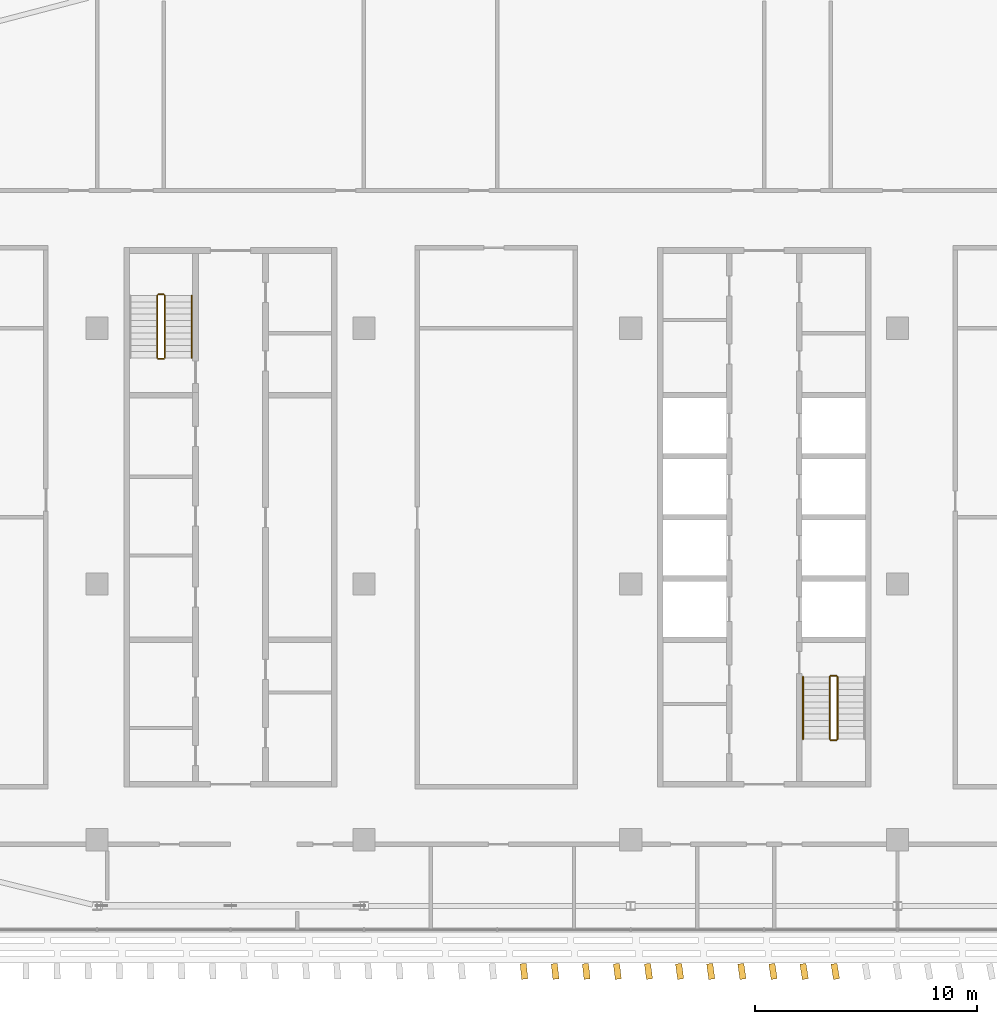
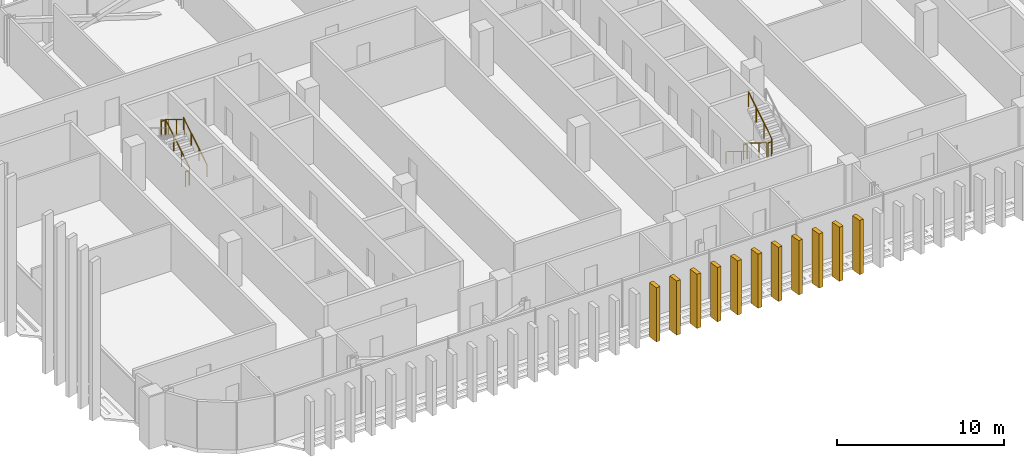
# One storey, part 27 of 32: 11 coverings, 10 railings.
"""IFC4 building model written with IfcOpenShell, lengths in metres."""

from ifc_helpers import new_model, si_unit, direction, frame, origin, origin_2d, place, context, subcontext, project, spatial, rectangle, circle, extrude, material, layer, layer_set, type_object, element, save


model = new_model("IFC4")

# Units and contexts
model_context = context("Model", 3, precision=1e-05, world=origin(), true_north=direction((0.0, 1.0)))
body_context = subcontext(model_context, "Body", "Model", "MODEL_VIEW")
ifc_project = project(units=[si_unit("LENGTHUNIT", "METRE"), si_unit("AREAUNIT", "SQUARE_METRE"), si_unit("VOLUMEUNIT", "CUBIC_METRE"), si_unit("PLANEANGLEUNIT", "RADIAN"), si_unit("MASSUNIT", "GRAM", prefix="KILO")], contexts=[model_context])

# Site, building, storey
site_placement = place(None, origin())
site = spatial("IfcSite", under=ifc_project, at=site_placement, CompositionType="ELEMENT")
building_placement = place(site_placement, origin())
building = spatial("IfcBuilding", under=site, at=building_placement, Name="Mahtab Terrace Research Tower", CompositionType="ELEMENT")
storey_placement = place(building_placement, frame((0.0, 0.0, 243.800048828125)))
storey = spatial("IfcBuildingStorey", under=building, at=storey_placement, Name="L59", CompositionType="ELEMENT", Elevation=243.800048828125)

# Railings
ifc_material_1 = material(Name="Stainless steel AISI 304", Category="steel")
railing_type_1 = type_object("IfcRailingType", Name="Stair guard 1100", PredefinedType="GUARDRAIL", material=ifc_material_1)
railing_1_placement = place(storey_placement, frame((-26.949951171875, 10.175048828125, 0.172607421875)))
element("IfcRailing", 1, at=railing_1_placement, inside=storey, type_object=railing_type_1, Name="L59 ST1 stair guard 1", PredefinedType="GUARDRAIL", context=body_context, shape_type="SweptSolid", body=[
    extrude(circle(Radius=0.02392578125, at=origin_2d()), frame((0.0, 0.0, 1.076171875), z_axis=(0.0, 0.851089632645, 0.525020415988), x_axis=(-1.0, 0.0, 0.0)), (0.0, 0.0, 1.0), 3.2900390625),
    extrude(circle(Radius=0.02099609375, at=origin_2d()), origin(), (0.0, 0.0, 1.0), 1.052001953125),
    extrude(circle(Radius=0.02099609375, at=origin_2d()), frame((0.0, 0.933349609375, 0.57568359375)), (0.0, 0.0, 1.0), 1.052001953125),
    extrude(circle(Radius=0.02099609375, at=origin_2d()), frame((0.0, 1.86669921875, 1.151611328125)), (0.0, 0.0, 1.0), 1.052001953125),
    extrude(circle(Radius=0.02099609375, at=origin_2d()), frame((0.0, 2.800048828125, 1.727294921875)), (0.0, 0.0, 1.0), 1.052001953125),
])
railing_2_placement = place(storey_placement, frame((-27.0, 13.02490234375, 1.89990234375)))
element("IfcRailing", 2, at=railing_2_placement, inside=storey, type_object=railing_type_1, Name="L59 ST1 stair guard 2", PredefinedType="GUARDRAIL", context=body_context, shape_type="SweptSolid", body=[
    extrude(circle(Radius=0.02392578125, at=origin_2d()), frame((0.0, 0.0, 1.076171875), z_axis=(-1.0, 0.0, 0.0), x_axis=(0.0, -1.0, 0.0)), (0.0, 0.0, 1.0), 0.25),
    extrude(circle(Radius=0.02099609375, at=origin_2d()), origin(), (0.0, 0.0, 1.0), 1.052001953125),
    extrude(circle(Radius=0.02099609375, at=origin_2d()), frame((-0.25, 0.0, 0.0)), (0.0, 0.0, 1.0), 1.052001953125),
])
railing_3_placement = place(storey_placement, frame((-27.300048828125, 12.97509765625, 2.07275390625)))
element("IfcRailing", 3, at=railing_3_placement, inside=storey, type_object=railing_type_1, Name="L59 ST1 stair guard 3", PredefinedType="GUARDRAIL", context=body_context, shape_type="SweptSolid", body=[
    extrude(circle(Radius=0.02392578125, at=origin_2d()), frame((0.0, 0.0, 1.076171875), z_axis=(0.0, -0.851089632645, 0.525020415988), x_axis=(1.0, 0.0, 0.0)), (0.0, 0.0, 1.0), 3.2900390625),
    extrude(circle(Radius=0.02099609375, at=origin_2d()), origin(), (0.0, 0.0, 1.0), 1.052001953125),
    extrude(circle(Radius=0.02099609375, at=origin_2d()), frame((0.0, -0.933349609375, 0.57568359375)), (0.0, 0.0, 1.0), 1.052001953125),
    extrude(circle(Radius=0.02099609375, at=origin_2d()), frame((0.0, -1.86669921875, 1.151611328125)), (0.0, 0.0, 1.0), 1.052001953125),
    extrude(circle(Radius=0.02099609375, at=origin_2d()), frame((0.0, -2.800048828125, 1.727294921875)), (0.0, 0.0, 1.0), 1.052001953125),
])
railing_4_placement = place(storey_placement, frame((-27.0, 10.125, 0.0)))
element("IfcRailing", 4, at=railing_4_placement, inside=storey, type_object=railing_type_1, Name="L59 ST1 stair guard 4", PredefinedType="GUARDRAIL", context=body_context, shape_type="SweptSolid", body=[
    extrude(circle(Radius=0.02392578125, at=origin_2d()), frame((0.0, 0.0, 1.076171875), z_axis=(-1.0, 0.0, 0.0), x_axis=(0.0, -1.0, 0.0)), (0.0, 0.0, 1.0), 0.25),
    extrude(circle(Radius=0.02099609375, at=origin_2d()), origin(), (0.0, 0.0, 1.0), 1.052001953125),
    extrude(circle(Radius=0.02099609375, at=origin_2d()), frame((-0.25, 0.0, 0.0)), (0.0, 0.0, 1.0), 1.052001953125),
])
railing_5_placement = place(storey_placement, frame((2.949951171875, -4.175048828125, 0.172607421875)))
element("IfcRailing", 5, at=railing_5_placement, inside=storey, type_object=railing_type_1, Name="L59 ST2 stair guard 1", PredefinedType="GUARDRAIL", context=body_context, shape_type="SweptSolid", body=[
    extrude(circle(Radius=0.02392578125, at=origin_2d()), frame((0.0, 0.0, 1.076171875), z_axis=(0.0, -0.851089632645, 0.525020415988), x_axis=(1.0, 0.0, 0.0)), (0.0, 0.0, 1.0), 3.2900390625),
    extrude(circle(Radius=0.02099609375, at=origin_2d()), origin(), (0.0, 0.0, 1.0), 1.052001953125),
    extrude(circle(Radius=0.02099609375, at=origin_2d()), frame((0.0, -0.933349609375, 0.57568359375)), (0.0, 0.0, 1.0), 1.052001953125),
    extrude(circle(Radius=0.02099609375, at=origin_2d()), frame((0.0, -1.86669921875, 1.151611328125)), (0.0, 0.0, 1.0), 1.052001953125),
    extrude(circle(Radius=0.02099609375, at=origin_2d()), frame((0.0, -2.800048828125, 1.727294921875)), (0.0, 0.0, 1.0), 1.052001953125),
])
railing_6_placement = place(storey_placement, frame((3.0, -7.02490234375, 1.89990234375)))
element("IfcRailing", 6, at=railing_6_placement, inside=storey, type_object=railing_type_1, Name="L59 ST2 stair guard 2", PredefinedType="GUARDRAIL", context=body_context, shape_type="SweptSolid", body=[
    extrude(circle(Radius=0.02392578125, at=origin_2d()), frame((0.0, 0.0, 1.076171875), z_axis=(1.0, 0.0, 0.0), x_axis=(0.0, 1.0, 0.0)), (0.0, 0.0, 1.0), 0.25),
    extrude(circle(Radius=0.02099609375, at=origin_2d()), origin(), (0.0, 0.0, 1.0), 1.052001953125),
    extrude(circle(Radius=0.02099609375, at=origin_2d()), frame((0.25, 0.0, 0.0)), (0.0, 0.0, 1.0), 1.052001953125),
])
railing_7_placement = place(storey_placement, frame((3.300048828125, -6.97509765625, 2.07275390625)))
element("IfcRailing", 7, at=railing_7_placement, inside=storey, type_object=railing_type_1, Name="L59 ST2 stair guard 3", PredefinedType="GUARDRAIL", context=body_context, shape_type="SweptSolid", body=[
    extrude(circle(Radius=0.02392578125, at=origin_2d()), frame((0.0, 0.0, 1.076171875), z_axis=(0.0, 0.851089632645, 0.525020415988), x_axis=(-1.0, 0.0, 0.0)), (0.0, 0.0, 1.0), 3.2900390625),
    extrude(circle(Radius=0.02099609375, at=origin_2d()), origin(), (0.0, 0.0, 1.0), 1.052001953125),
    extrude(circle(Radius=0.02099609375, at=origin_2d()), frame((0.0, 0.933349609375, 0.57568359375)), (0.0, 0.0, 1.0), 1.052001953125),
    extrude(circle(Radius=0.02099609375, at=origin_2d()), frame((0.0, 1.86669921875, 1.151611328125)), (0.0, 0.0, 1.0), 1.052001953125),
    extrude(circle(Radius=0.02099609375, at=origin_2d()), frame((0.0, 2.800048828125, 1.727294921875)), (0.0, 0.0, 1.0), 1.052001953125),
])
railing_8_placement = place(storey_placement, frame((3.0, -4.125, 0.0)))
element("IfcRailing", 8, at=railing_8_placement, inside=storey, type_object=railing_type_1, Name="L59 ST2 stair guard 4", PredefinedType="GUARDRAIL", context=body_context, shape_type="SweptSolid", body=[
    extrude(circle(Radius=0.02392578125, at=origin_2d()), frame((0.0, 0.0, 1.076171875), z_axis=(1.0, 0.0, 0.0), x_axis=(0.0, 1.0, 0.0)), (0.0, 0.0, 1.0), 0.25),
    extrude(circle(Radius=0.02099609375, at=origin_2d()), origin(), (0.0, 0.0, 1.0), 1.052001953125),
    extrude(circle(Radius=0.02099609375, at=origin_2d()), frame((0.25, 0.0, 0.0)), (0.0, 0.0, 1.0), 1.052001953125),
])
railing_type_2 = type_object("IfcRailingType", Name="Stair handrail 900", PredefinedType="HANDRAIL", material=ifc_material_1)
railing_9_placement = place(storey_placement, frame((-25.75, 10.175048828125, 0.172607421875)))
element("IfcRailing", 9, at=railing_9_placement, inside=storey, type_object=railing_type_2, Name="L59 ST1 stair handrail 1", PredefinedType="HANDRAIL", context=body_context, shape_type="SweptSolid", body=[
    extrude(circle(Radius=0.02392578125, at=origin_2d()), frame((0.0, 0.0, 0.8759765625), z_axis=(0.0, 0.851089632645, 0.525020415988), x_axis=(-1.0, 0.0, 0.0)), (0.0, 0.0, 1.0), 3.2900390625),
    extrude(circle(Radius=0.02099609375, at=origin_2d()), origin(), (0.0, 0.0, 1.0), 0.851806640625),
    extrude(circle(Radius=0.02099609375, at=origin_2d()), frame((0.0, 0.933349609375, 0.57568359375)), (0.0, 0.0, 1.0), 0.851806640625),
    extrude(circle(Radius=0.02099609375, at=origin_2d()), frame((0.0, 1.86669921875, 1.151611328125)), (0.0, 0.0, 1.0), 0.851806640625),
    extrude(circle(Radius=0.02099609375, at=origin_2d()), frame((0.0, 2.800048828125, 1.727294921875)), (0.0, 0.0, 1.0), 0.851806640625),
])
railing_10_placement = place(storey_placement, frame((1.75, -4.175048828125, 0.172607421875)))
element("IfcRailing", 10, at=railing_10_placement, inside=storey, type_object=railing_type_2, Name="L59 ST2 stair handrail 1", PredefinedType="HANDRAIL", context=body_context, shape_type="SweptSolid", body=[
    extrude(circle(Radius=0.02392578125, at=origin_2d()), frame((0.0, 0.0, 0.8759765625), z_axis=(0.0, -0.851089632645, 0.525020415988), x_axis=(1.0, 0.0, 0.0)), (0.0, 0.0, 1.0), 3.2900390625),
    extrude(circle(Radius=0.02099609375, at=origin_2d()), origin(), (0.0, 0.0, 1.0), 0.851806640625),
    extrude(circle(Radius=0.02099609375, at=origin_2d()), frame((0.0, -0.933349609375, 0.57568359375)), (0.0, 0.0, 1.0), 0.851806640625),
    extrude(circle(Radius=0.02099609375, at=origin_2d()), frame((0.0, -1.86669921875, 1.151611328125)), (0.0, 0.0, 1.0), 0.851806640625),
    extrude(circle(Radius=0.02099609375, at=origin_2d()), frame((0.0, -2.800048828125, 1.727294921875)), (0.0, 0.0, 1.0), 0.851806640625),
])

# Coverings
ifc_material_2 = material(Name="Bronze anodised aluminium", Category="aluminium")
ifc_layer = layer(ifc_material_2, 0.1201171875)
ifc_layer_set = layer_set([ifc_layer], Name="Vertical fin 700")
covering_type = type_object("IfcCoveringType", Name="Vertical fin 700", PredefinedType="CLADDING", material=ifc_layer_set)
for number, where, z_axis, x_axis, name in (
    (11, (-10.800048828125, -17.418701171875, -0.14990234375), (0.0, 0.0, 1.0), (0.994521895368, 0.104528463268, 0.0), "Fin L59 S18"),
    (12, (-9.39990234375, -17.419189453125, -0.14990234375), (0.0, 0.0, 1.0), (0.993896946415, 0.110312555526, 0.0), "Fin L59 S19"),
    (13, (-8.0, -17.419921875, -0.14990234375), (0.0, 0.0, 1.0), (0.993238357741, 0.116092914131, 0.0), "Fin L59 S20"),
    (14, (-6.60009765625, -17.42041015625, -0.14990234375), (0.0, 0.0, 1.0), (0.992546151641, 0.121869343405, 0.0), "Fin L59 S21"),
    (15, (-5.199951171875, -17.4208984375, -0.14990234375), (0.0, 0.0, 1.0), (0.991820351542, 0.127641647855, 0.0), "Fin L59 S22"),
    (16, (-3.800048828125, -17.421630859375, -0.14990234375), (0.0, 0.0, 1.0), (0.991060982007, 0.133409632126, 0.0), "Fin L59 S23"),
    (17, (-2.39990234375, -17.422119140625, -0.14990234375), (0.0, 0.0, 1.0), (0.990268068742, 0.13917310096, 0.0), "Fin L59 S24"),
    (18, (-1.0, -17.422607421875, -0.14990234375), (0.0, 0.0, 1.0), (0.989441638582, 0.144931859301, 0.0), "Fin L59 S25"),
    (19, (0.39990234375, -17.423095703125, -0.14990234375), (0.0, 0.0, 1.0), (0.988581719496, 0.150685712255, 0.0), "Fin L59 S26"),
    (20, (1.800048828125, -17.423583984375, -0.14990234375), (0.0, 0.0, 1.0), (0.987688340595, 0.15643446504, 0.0), "Fin L59 S27"),
    (21, (3.199951171875, -17.424072265625, -0.14990234375), (0.0, 0.0, 1.0), (0.986761532114, 0.1621779231, 0.0), "Fin L59 S28"),
):
    element("IfcCovering", number, at=place(storey_placement, frame(where, z_axis=z_axis, x_axis=x_axis)), inside=storey, type_object=covering_type, Name=name, PredefinedType="CLADDING", context=body_context, shape_type="SweptSolid", body=[
        extrude(rectangle(XDim=0.280029296875, YDim=0.699951171875, at=origin_2d()), origin(), (0.0, 0.0, 1.0), 3.949951171875),
    ])

save(model, "model.ifc")
